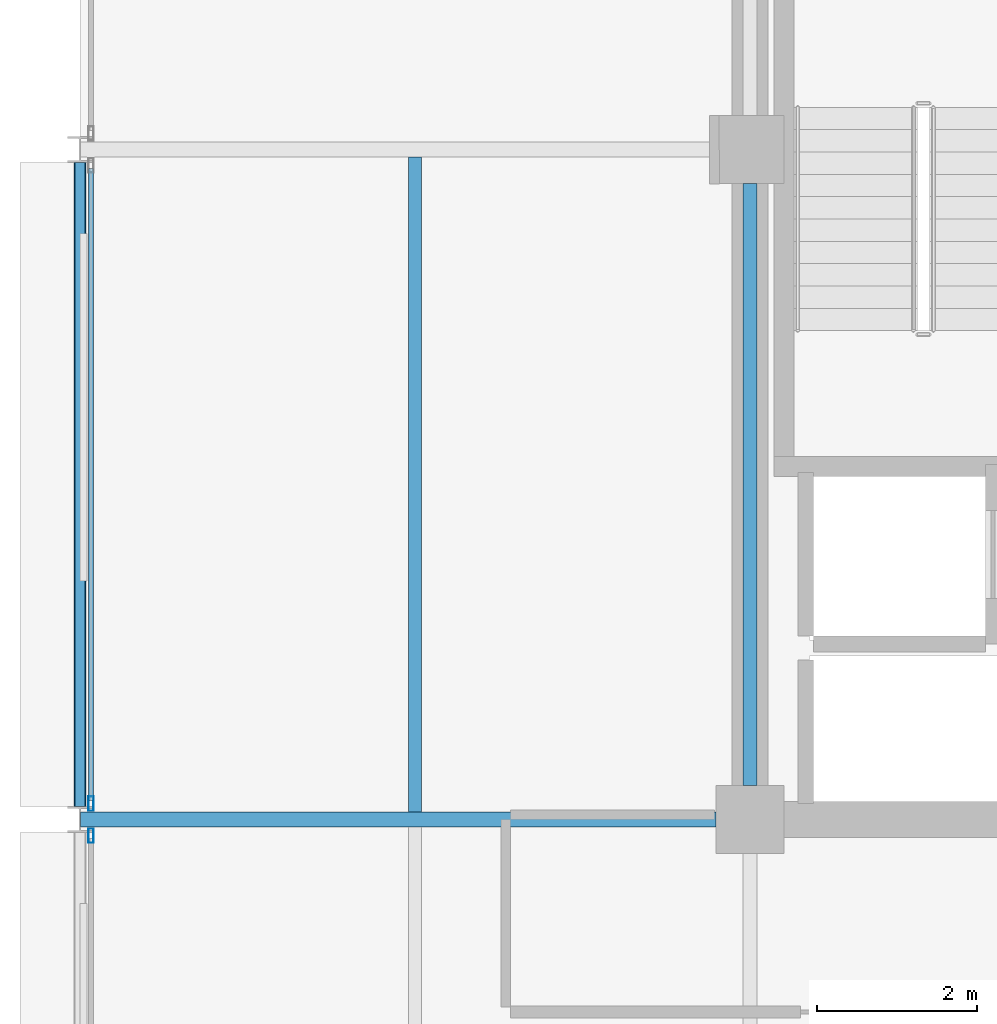
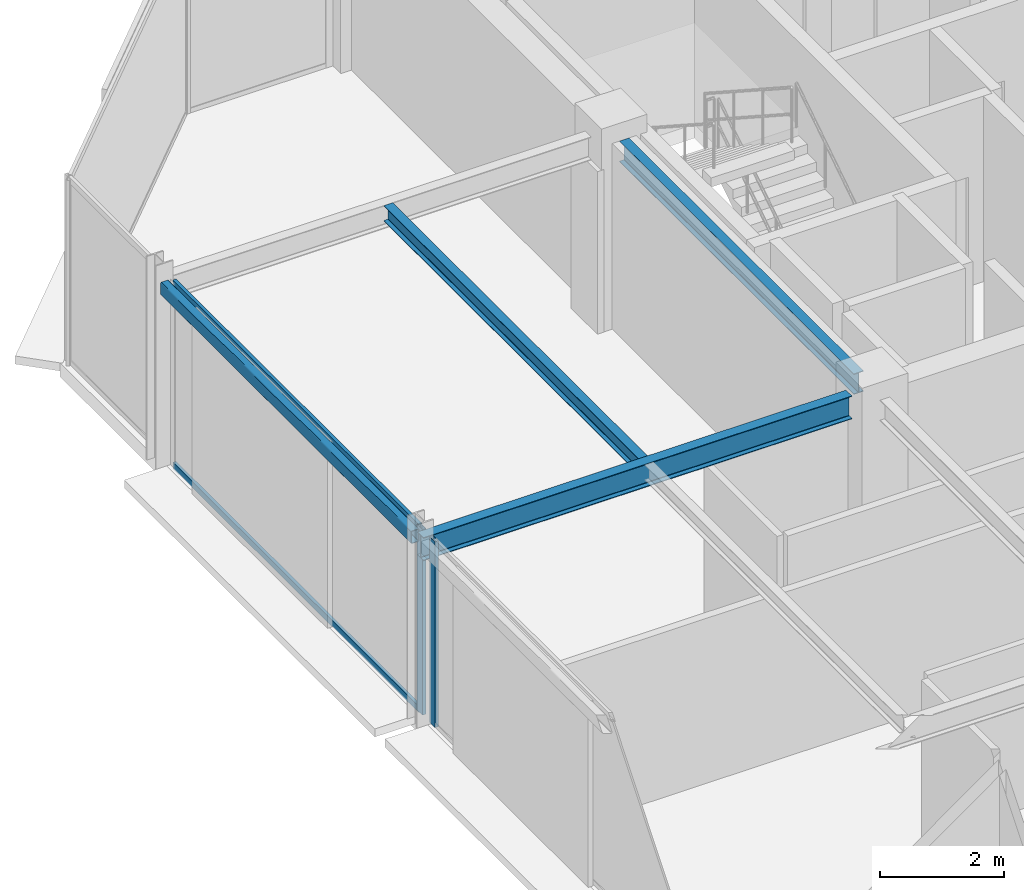
# One storey, part 11 of 25: 4 beams, 4 members, 2 elements without a shape of their own.
"""IFC4 building model written with IfcOpenShell, lengths in metres."""

from ifc_helpers import new_model, si_unit, direction, frame, origin, origin_2d, place, context, subcontext, project, spatial, hollow_rectangle, i_section, extrude, material, layer, layer_set, material_profile, profile_set, type_object, element, aggregate, save


model = new_model("IFC4")

# Units and contexts
model_context = context("Model", 3, precision=1e-05, world=origin(), true_north=direction((0.0, 1.0)))
body_context = subcontext(model_context, "Body", "Model", "MODEL_VIEW")
ifc_project = project(units=[si_unit("LENGTHUNIT", "METRE"), si_unit("AREAUNIT", "SQUARE_METRE"), si_unit("VOLUMEUNIT", "CUBIC_METRE"), si_unit("PLANEANGLEUNIT", "RADIAN"), si_unit("MASSUNIT", "GRAM", prefix="KILO")], contexts=[model_context])

# Site, building, storey
site_placement = place(None, origin())
site = spatial("IfcSite", under=ifc_project, at=site_placement, CompositionType="ELEMENT")
building_placement = place(site_placement, origin())
building = spatial("IfcBuilding", under=site, at=building_placement, Name="Nerrivon Quay Data Exchange", CompositionType="ELEMENT")
storey_placement = place(building_placement, frame((0.0, 0.0, 318.199951171875)))
storey = spatial("IfcBuildingStorey", under=building, at=storey_placement, Name="L76", CompositionType="ELEMENT", Elevation=318.199951171875)

# Beams
ifc_material_1 = material(Name="Steel Grade 350", Category="steel")
ifc_material_profile_1 = material_profile(ifc_material_1, i_section(OverallWidth=0.18994140625, OverallDepth=0.4541015625, WebThickness=0.008544921875, FlangeThickness=0.0126953125, FilletRadius=0.011474609375, at=origin_2d()), Name="460UB67.1")
ifc_profile_set_1 = profile_set([ifc_material_profile_1], Name="Steel Grade 350")
beam_type_1 = type_object("IfcBeamType", Name="BM-G6-460UB67", PredefinedType="BEAM", material=ifc_profile_set_1)
beam_1_placement = place(storey_placement, frame((0.0078125, 25.199951171875, 3.423095703125), z_axis=(1.0, 0.0, 0.0), x_axis=(0.0, 1.0, 0.0)))
element("IfcBeam", 1, at=beam_1_placement, inside=storey, type_object=beam_type_1, Name="L76 EW Girder Y=25.2 (0.0..8.4)", PredefinedType="BEAM", context=body_context, shape_type="SweptSolid", body=[
    extrude(i_section(OverallWidth=0.18994140625, OverallDepth=0.4541015625, WebThickness=0.008544921875, FlangeThickness=0.0126953125, FilletRadius=0.011474609375, at=origin_2d()), origin(), (0.0, 0.0, 1.0), 7.96728515625),
])
ifc_material_profile_2 = material_profile(ifc_material_1, i_section(OverallWidth=0.177978515625, OverallDepth=0.406005859375, WebThickness=0.0078125, FlangeThickness=0.0126953125, FilletRadius=0.011474609375, at=origin_2d()), Name="410UB59.7")
ifc_profile_set_2 = profile_set([ifc_material_profile_2], Name="Steel Grade 350")
beam_type_2 = type_object("IfcBeamType", Name="BM-J1-410UB60", PredefinedType="JOIST", material=ifc_profile_set_2)
beam_2_placement = place(storey_placement, frame((8.39990234375, 25.625, 3.447021484375), z_axis=(0.0, 1.0, 0.0), x_axis=(-1.0, 0.0, 0.0)))
element("IfcBeam", 2, at=beam_2_placement, inside=storey, type_object=beam_type_2, Name="L76 NS Girder X=8.4 (25.2..33.6)", PredefinedType="JOIST", context=body_context, shape_type="SweptSolid", body=[
    extrude(i_section(OverallWidth=0.177978515625, OverallDepth=0.406005859375, WebThickness=0.0078125, FlangeThickness=0.0126953125, FilletRadius=0.011474609375, at=origin_2d()), origin(), (0.0, 0.0, 1.0), 7.550048828125),
])
ifc_material_profile_3 = material_profile(ifc_material_1, i_section(OverallWidth=0.1650390625, OverallDepth=0.303955078125, WebThickness=0.006103515625, FlangeThickness=0.01025390625, FilletRadius=0.011474609375, at=origin_2d()), Name="310UB40.4")
ifc_profile_set_3 = profile_set([ifc_material_profile_3], Name="Steel Grade 350")
beam_type_3 = type_object("IfcBeamType", Name="BM-J6-310UB40", PredefinedType="JOIST", material=ifc_profile_set_3)
beam_3_placement = place(storey_placement, frame((4.199951171875, 25.294921875, 3.498046875), z_axis=(0.0, 1.0, 0.0), x_axis=(-1.0, 0.0, 0.0)))
element("IfcBeam", 3, at=beam_3_placement, inside=storey, type_object=beam_type_3, Name="L76 Secondary Joist X=4.2 (25.2..33.6)", PredefinedType="JOIST", context=body_context, shape_type="SweptSolid", body=[
    extrude(i_section(OverallWidth=0.1650390625, OverallDepth=0.303955078125, WebThickness=0.006103515625, FlangeThickness=0.01025390625, FilletRadius=0.011474609375, at=origin_2d()), origin(), (0.0, 0.0, 1.0), 8.2099609375),
])
ifc_material_2 = material(Name="Steel Grade C350L0 (350 MPa)", Category="steel")
ifc_material_profile_4 = material_profile(ifc_material_2, hollow_rectangle(XDim=0.14990234375, YDim=0.25, WallThickness=0.009033203125, InnerFilletRadius=0.013427734375, OuterFilletRadius=0.0224609375, at=origin_2d()), Name="250x150x9.0RHS")
ifc_profile_set_4 = profile_set([ifc_material_profile_4], Name="Steel Grade C350L0 (350 MPa)")
beam_type_4 = type_object("IfcBeamType", Name="BM-SP4-250x150RHS", PredefinedType="SPANDREL", material=ifc_profile_set_4)
beam_4_placement = place(storey_placement, frame((0.0, 25.363525390625, 3.525146484375), z_axis=(0.0, 1.0, 0.0), x_axis=(-1.0, 0.0, 0.0)))
element("IfcBeam", 4, at=beam_4_placement, inside=storey, type_object=beam_type_4, Name="L76 NS Girder X=0.0 (25.2..33.6)", PredefinedType="SPANDREL", context=body_context, shape_type="SweptSolid", body=[
    extrude(hollow_rectangle(XDim=0.14990234375, YDim=0.25, WallThickness=0.009033203125, InnerFilletRadius=0.013427734375, OuterFilletRadius=0.0224609375, at=origin_2d()), origin(), (0.0, 0.0, 1.0), 8.072998046875),
])

# Curtain wall, member
ifc_material_3 = material(Name="Anodised aluminium 6063-T6", Category="aluminium")
ifc_layer = layer(ifc_material_3, 0.195068359375)
ifc_layer_set = layer_set([ifc_layer], Name="Anodised aluminium 6063-T6")
curtain_wall_type = type_object("IfcCurtainWallType", Name="CW-SYS-06", PredefinedType="NOTDEFINED", material=ifc_layer_set)
curtain_wall_1_placement = place(storey_placement, origin())
curtain_wall_1 = element("IfcCurtainWall", 5, at=curtain_wall_1_placement, inside=storey, type_object=curtain_wall_type, Name="L76 Unitised Curtain Wall 10", PredefinedType="NOTDEFINED")
ifc_material_profile_5 = material_profile(ifc_material_3, hollow_rectangle(XDim=0.06494140625, YDim=0.179931640625, WallThickness=0.00341796875, at=origin_2d()), Name="ALU-MULL-180x65")
ifc_profile_set_5 = profile_set([ifc_material_profile_5], Name="Anodised aluminium 6063-T6")
member_type_1 = type_object("IfcMemberType", Name="CWM-180x65", PredefinedType="MULLION", material=ifc_profile_set_5)
member_1_placement = place(storey_placement, frame((0.139892578125, 24.9990234375, 0.0), z_axis=(0.0, 0.0, 1.0), x_axis=(-1.0, 0.0, 0.0)))
member_1 = element("IfcMember", 6, at=member_1_placement, type_object=member_type_1, Name="CW06 mullion 2", PredefinedType="MULLION", context=body_context, shape_type="SweptSolid", body=[
    extrude(hollow_rectangle(XDim=0.06494140625, YDim=0.179931640625, WallThickness=0.00341796875, at=origin_2d()), origin(), (0.0, 0.0, 1.0), 3.650146484375),
])
aggregate(curtain_wall_1, [member_1])

# Curtain wall, members
curtain_wall_2_placement = place(storey_placement, origin())
curtain_wall_2 = element("IfcCurtainWall", 7, at=curtain_wall_2_placement, inside=storey, type_object=curtain_wall_type, Name="L76 Unitised Curtain Wall 11", PredefinedType="NOTDEFINED")
member_2_placement = place(storey_placement, frame((0.139892578125, 25.40087890625, 0.0), z_axis=(0.0, 0.0, 1.0), x_axis=(-1.0, 0.0, 0.0)))
member_2 = element("IfcMember", 8, at=member_2_placement, type_object=member_type_1, Name="CW06 mullion 1", PredefinedType="MULLION", context=body_context, shape_type="SweptSolid", body=[
    extrude(hollow_rectangle(XDim=0.06494140625, YDim=0.179931640625, WallThickness=0.00341796875, at=origin_2d()), origin(), (0.0, 0.0, 1.0), 3.650146484375),
])
ifc_material_profile_6 = material_profile(ifc_material_3, hollow_rectangle(XDim=0.06005859375, YDim=0.1201171875, WallThickness=0.003173828125, at=origin_2d()), Name="ALU-TRAN-120x60")
ifc_profile_set_6 = profile_set([ifc_material_profile_6], Name="Anodised aluminium 6063-T6")
member_type_2 = type_object("IfcMemberType", Name="CWT-120x60", PredefinedType="USERDEFINED", material=ifc_profile_set_6)
member_3_placement = place(storey_placement, frame((0.139892578125, 25.4384765625, 0.032470703125), z_axis=(0.0, 1.0, 0.0), x_axis=(-1.0, 0.0, 0.0)))
member_3 = element("IfcMember", 9, at=member_3_placement, type_object=member_type_2, Name="CW06 transom 1.1", ObjectType="TRANSOM", PredefinedType="USERDEFINED", context=body_context, shape_type="SweptSolid", body=[
    extrude(hollow_rectangle(XDim=0.06005859375, YDim=0.1201171875, WallThickness=0.003173828125, at=origin_2d()), origin(), (0.0, 0.0, 1.0), 7.923095703125),
])
member_4_placement = place(storey_placement, frame((0.139892578125, 25.4384765625, 3.617431640625), z_axis=(0.0, 1.0, 0.0), x_axis=(-1.0, 0.0, 0.0)))
member_4 = element("IfcMember", 10, at=member_4_placement, type_object=member_type_2, Name="CW06 transom 1.2", ObjectType="TRANSOM", PredefinedType="USERDEFINED", context=body_context, shape_type="SweptSolid", body=[
    extrude(hollow_rectangle(XDim=0.06005859375, YDim=0.1201171875, WallThickness=0.003173828125, at=origin_2d()), origin(), (0.0, 0.0, 1.0), 7.923095703125),
])
aggregate(curtain_wall_2, [member_2, member_3, member_4])

save(model, "model.ifc")
